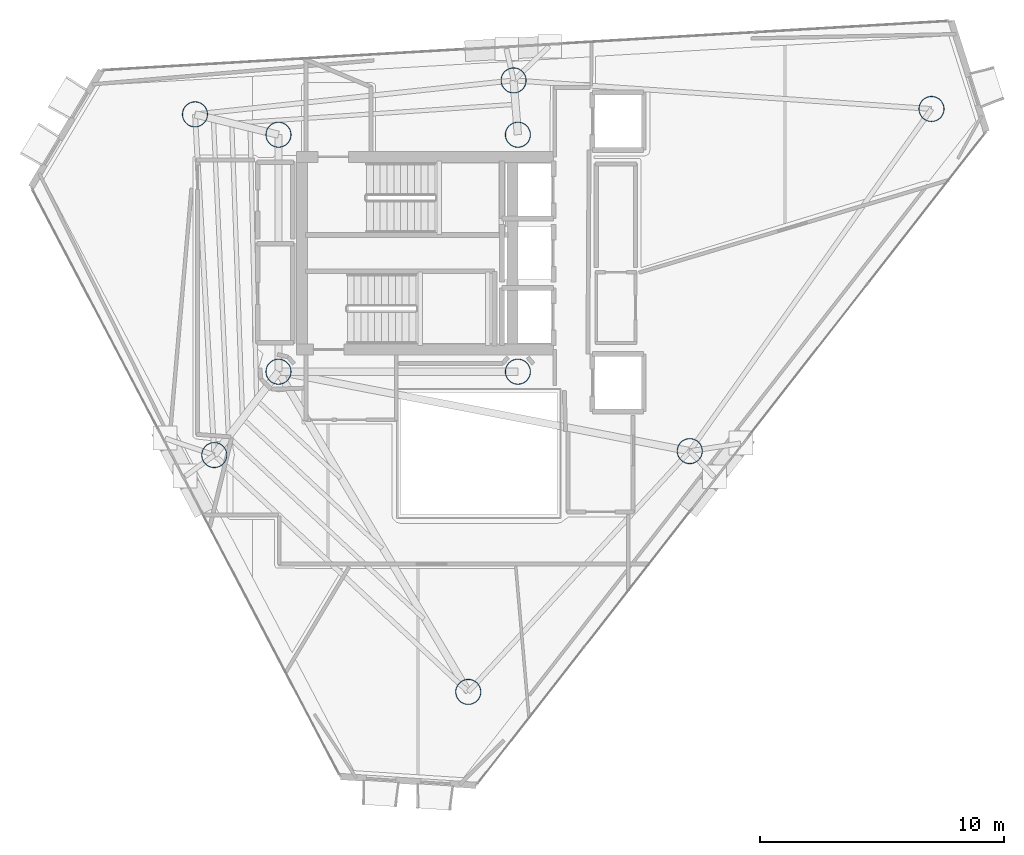
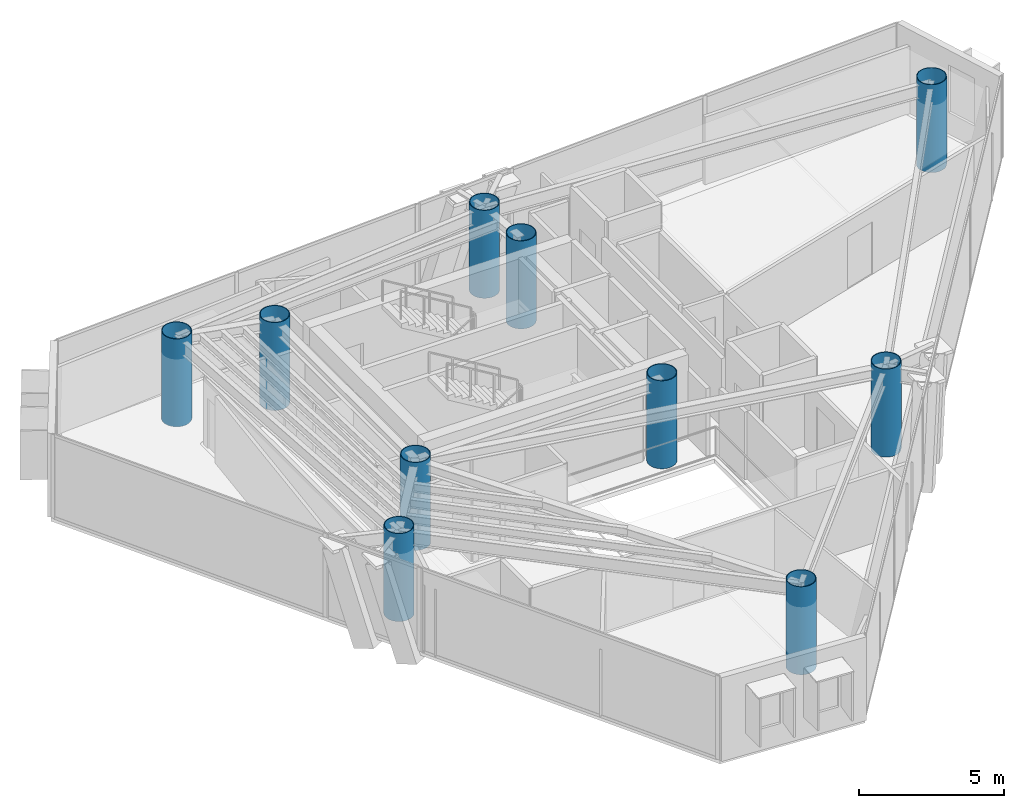
# One storey, part 1 of 18: 10 columns.
"""IFC4 building model written with IfcOpenShell, lengths in metres."""

from ifc_helpers import new_model, si_unit, direction, frame, origin, origin_2d, place, context, subcontext, project, spatial, hollow_circle, extrude, material, material_profile, profile_set, type_object, element, save


model = new_model("IFC4")

# Units and contexts
model_context = context("Model", 3, precision=1e-05, world=origin(), true_north=direction((0.0, 1.0)))
body_context = subcontext(model_context, "Body", "Model", "MODEL_VIEW")
ifc_project = project(units=[si_unit("LENGTHUNIT", "METRE"), si_unit("AREAUNIT", "SQUARE_METRE"), si_unit("VOLUMEUNIT", "CUBIC_METRE"), si_unit("PLANEANGLEUNIT", "RADIAN"), si_unit("MASSUNIT", "GRAM", prefix="KILO")], contexts=[model_context])

# Site, building, storey
site_placement = place(None, origin())
site = spatial("IfcSite", under=ifc_project, at=site_placement, CompositionType="ELEMENT")
building_placement = place(site_placement, origin())
building = spatial("IfcBuilding", under=site, at=building_placement, Name="Qianvela Tower", CompositionType="ELEMENT")
storey_placement = place(building_placement, frame((0.0, 0.0, 264.89990234375)))
storey = spatial("IfcBuildingStorey", under=building, at=storey_placement, Name="L68", CompositionType="ELEMENT", Elevation=264.89990234375)

# Columns
ifc_material = material(Name="Steel Q420GJC", Category="steel")
ifc_material_profile = material_profile(ifc_material, hollow_circle(Radius=0.52490234375, WallThickness=0.028076171875, at=origin_2d()), Name="CFT-1050x28")
ifc_profile_set = profile_set([ifc_material_profile], Name="Steel Q420GJC")
column_type = type_object("IfcColumnType", Name="COL-CFT-1050x28", PredefinedType="COLUMN", material=ifc_profile_set)
for number, where, z_axis, x_axis, name in (
    (1, (28.60009765625, 33.550048828125, 0.0), (0.0, 0.0, 1.0), (1.0, 0.0, 0.0), "L68 Core Corner Mega-Column CC-NW"),
    (2, (28.60009765625, 23.85009765625, 0.0), (0.0, 0.0, 1.0), (1.0, 0.0, 0.0), "L68 Core Corner Mega-Column CC-SW"),
    (3, (38.39990234375, 33.550048828125, 0.0), (0.0, 0.0, 1.0), (1.0, 0.0, 0.0), "L68 Core Corner Mega-Column CC-NE"),
    (4, (38.39990234375, 23.85009765625, 0.0), (0.0, 0.0, 1.0), (1.0, 0.0, 0.0), "L68 Core Corner Mega-Column CC-SE"),
    (5, (55.33203125, 34.60498046875, 0.0), (0.0, 0.0, 1.0), (1.0, 0.0, 0.0), "L68 Zone Z6 CFT Mega-Column C1"),
    (6, (38.22509765625, 35.77294921875, 0.0), (0.0, 0.0, 1.0), (1.0, 0.0, 0.0), "L68 Zone Z6 CFT Mega-Column C2"),
    (7, (25.181884765625, 34.384033203125, 0.0), (0.0, 0.0, 1.0), (1.0, 0.0, 0.0), "L68 Zone Z6 CFT Mega-Column C3"),
    (8, (25.971923828125, 20.43701171875, 0.0), (0.0, 0.0, 1.0), (1.0, 0.0, 0.0), "L68 Zone Z6 CFT Mega-Column C4"),
    (9, (36.368896484375, 10.741943359375, 0.0), (0.0, 0.0, 1.0), (1.0, 0.0, 0.0), "L68 Zone Z6 CFT Mega-Column C5"),
    (10, (45.43603515625, 20.597900390625, 0.0), (0.0, 0.0, 1.0), (1.0, 0.0, 0.0), "L68 Zone Z6 CFT Mega-Column C6"),
):
    element("IfcColumn", number, at=place(storey_placement, frame(where, z_axis=z_axis, x_axis=x_axis)), inside=storey, type_object=column_type, Name=name, PredefinedType="COLUMN", context=body_context, shape_type="SweptSolid", body=[
        extrude(hollow_circle(Radius=0.52490234375, WallThickness=0.028076171875, at=origin_2d()), origin(), (0.0, 0.0, 1.0), 3.7001953125),
    ])

save(model, "model.ifc")
